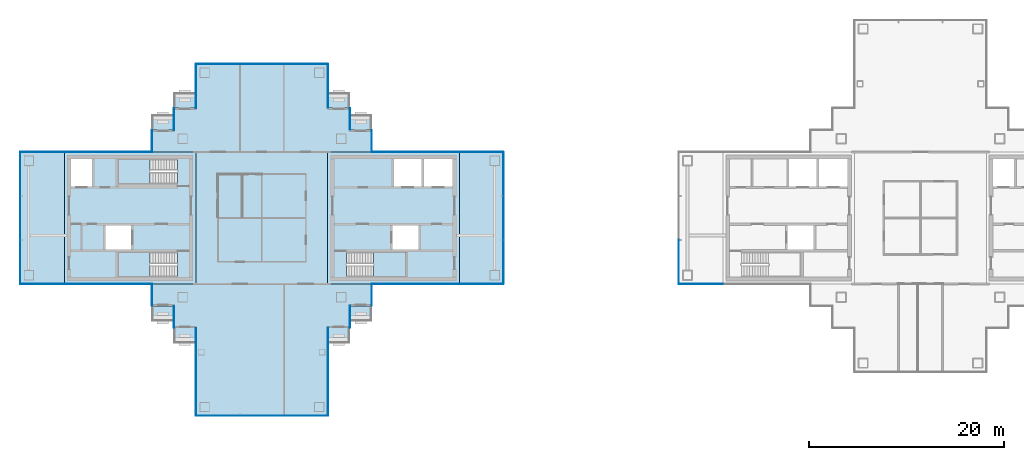
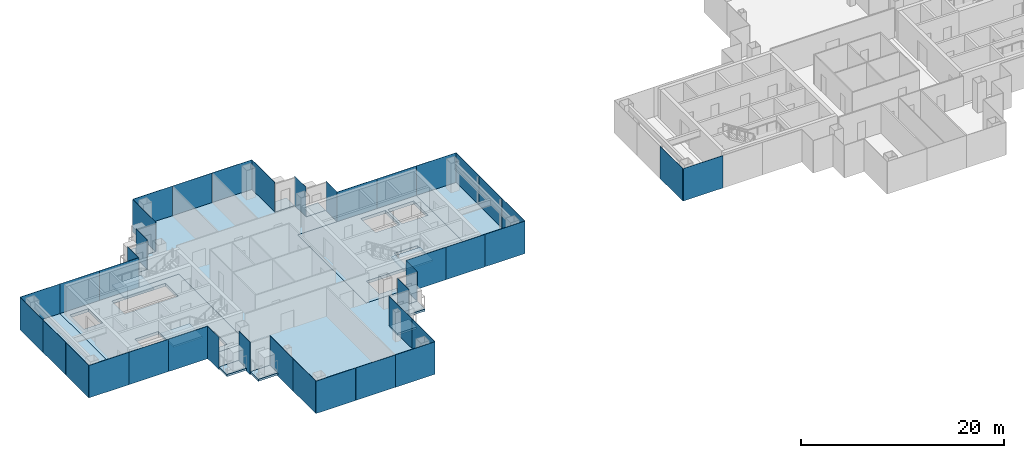
# One storey, part 6 of 15: 40 plates, 16 slabs, 25 elements without a shape of their own.
"""IFC4 building model written with IfcOpenShell, lengths in metres."""

import ifcopenshell
import ifcopenshell.guid

model = None  # the IFC model being written
_history = None  # IfcOwnerHistory: only IFC2X3 demands one
_inside = {}  # id of a spatial element -> (the spatial element, [elements in it])
_under = {}  # id of a project, library or spatial element -> (it, [spatial elements below it])
_declared = {}  # id of a project -> (the project, [libraries it declares])
_typed = {}  # id of a type object -> (the type object, [elements of that type])
_made_of = {}  # id of a material, layer set ... -> (it, [elements and type objects made of it])


def new_model(schema):
    """Start an empty IFC model of exactly this schema.

    Asked for "IFC4X3", IfcOpenShell would pick the latest addendum, in which some entities
    have other attributes; the version numbers below select the first issue.
    IFC2X3 requires an IfcOwnerHistory on every rooted entity: one is made here for all.
    """
    global model, _history
    if schema == "IFC4X3":
        model = ifcopenshell.file(schema_version=(4, 3, 0, 0))
    else:
        model = ifcopenshell.file(schema=schema)
    _inside.clear()
    _under.clear()
    _declared.clear()
    _typed.clear()
    _made_of.clear()
    _history = None
    if model.schema == "IFC2X3":
        org = make("IfcOrganization", Name="unknown")
        user = make(
            "IfcPersonAndOrganization",
            ThePerson=make("IfcPerson", FamilyName="unknown"),
            TheOrganization=org,
        )
        app = make(
            "IfcApplication",
            ApplicationDeveloper=org,
            Version="unknown",
            ApplicationFullName="unknown",
            ApplicationIdentifier="unknown",
        )
        _history = make(
            "IfcOwnerHistory",
            OwningUser=user,
            OwningApplication=app,
            ChangeAction="ADDED",
            CreationDate=0,
        )
    return model


def make(cls, **values):
    """One entity of the class cls with the attributes given. An attribute that is None is left unset."""
    return model.create_entity(
        cls, **{name: value for name, value in values.items() if value is not None}
    )


def rooted(cls, **values):
    """An entity with a GlobalId (a new one), such as an element, a storey or a relation."""
    return make(cls, GlobalId=ifcopenshell.guid.new(), OwnerHistory=_history, **values)


def si_unit(unit_type, name, prefix=None):
    """IfcSIUnit, for example si_unit("LENGTHUNIT", "METRE", prefix="MILLI")."""
    return make("IfcSIUnit", UnitType=unit_type, Prefix=prefix, Name=name)


def assignment(units):
    """IfcUnitAssignment: the units of a project."""
    return None if units is None else make("IfcUnitAssignment", Units=units)


def point(xyz):
    """IfcCartesianPoint."""
    return None if xyz is None else make("IfcCartesianPoint", Coordinates=xyz)


def direction(xyz):
    """IfcDirection."""
    return None if xyz is None else make("IfcDirection", DirectionRatios=xyz)


def frame(location, z_axis=None, x_axis=None):
    """IfcAxis2Placement3D, a coordinate frame: its origin and axes. An axis left out is left unset."""
    return make(
        "IfcAxis2Placement3D",
        Location=point(location),
        Axis=direction(z_axis),
        RefDirection=direction(x_axis),
    )


def frame_2d(location, x_axis=None):
    """IfcAxis2Placement2D, a coordinate frame in the plane: its origin and x axis."""
    return make(
        "IfcAxis2Placement2D", Location=point(location), RefDirection=direction(x_axis)
    )


def origin():
    """The frame at (0, 0, 0) with its axes left unset."""
    return frame((0.0, 0.0, 0.0))


def origin_2d():
    """The frame at (0, 0) in the plane with its x axis left unset."""
    return frame_2d((0.0, 0.0))


def place(relative_to, where):
    """IfcLocalPlacement: puts the frame where relative to a parent placement (None: the world)."""
    return make(
        "IfcLocalPlacement", PlacementRelTo=relative_to, RelativePlacement=where
    )


def context(
    kind, dimensions, precision=None, world=None, true_north=None, identifier=None
):
    """IfcGeometricRepresentationContext, for example the 3D "Model" context."""
    return make(
        "IfcGeometricRepresentationContext",
        ContextIdentifier=identifier,
        ContextType=kind,
        CoordinateSpaceDimension=dimensions,
        Precision=precision,
        WorldCoordinateSystem=world,
        TrueNorth=true_north,
    )


def subcontext(parent, identifier, kind, view, scale=None):
    """IfcGeometricRepresentationSubContext, for example "Body" below "Model"."""
    return make(
        "IfcGeometricRepresentationSubContext",
        ContextIdentifier=identifier,
        ContextType=kind,
        ParentContext=parent,
        TargetScale=scale,
        TargetView=view,
    )


def project(units=None, contexts=None):
    """IfcProject with its units and contexts."""
    return rooted(
        "IfcProject",
        Name="project",
        RepresentationContexts=contexts,
        UnitsInContext=assignment(units),
    )


def spatial(cls, under=None, at=None, **own):
    """A site, building, storey or space (cls), placed at a placement, below another one or the project."""
    s = rooted(cls, ObjectPlacement=at, **own)
    if under is not None:
        _under.setdefault(under.id(), (under, []))[1].append(s)
    return s


def polyline(points):
    """IfcPolyline through the points."""
    return make("IfcPolyline", Points=[point(p) for p in points])


def profile(cls, at=None, kind="AREA", **sizes):
    """A parametric profile (cls). Its sizes go by their IFC names, for example OverallWidth=200.0."""
    return make(cls, ProfileType=kind, Position=at, **sizes)


def rectangle(**sizes):
    """IfcRectangleProfileDef."""
    return profile("IfcRectangleProfileDef", **sizes)


def outline(outer, holes=None, kind="AREA"):
    """IfcArbitraryClosedProfileDef: a profile drawn as a closed curve; with holes, ...WithVoids."""
    if holes is None:
        return make("IfcArbitraryClosedProfileDef", ProfileType=kind, OuterCurve=outer)
    return make(
        "IfcArbitraryProfileDefWithVoids",
        ProfileType=kind,
        OuterCurve=outer,
        InnerCurves=holes,
    )


def extrude(swept, where, along, depth):
    """IfcExtrudedAreaSolid: the profile swept, set in the frame where, extruded along a direction by depth."""
    return make(
        "IfcExtrudedAreaSolid",
        SweptArea=swept,
        Position=where,
        ExtrudedDirection=direction(along),
        Depth=depth,
    )


def shape(context_of_items, identifier, shape_type, items):
    """IfcShapeRepresentation: the items that make up one representation, for example the "Body"."""
    return make(
        "IfcShapeRepresentation",
        ContextOfItems=context_of_items,
        RepresentationIdentifier=identifier,
        RepresentationType=shape_type,
        Items=items,
    )


def material(Name=None, Category=None):
    """IfcMaterial."""
    return make("IfcMaterial", Name=Name, Category=Category)


def layer(
    of_material, thickness, ventilated=None, Name=None, Category=None, Priority=None
):
    """IfcMaterialLayer: one layer of a wall or slab, of a material (None: an air gap)."""
    return make(
        "IfcMaterialLayer",
        Material=of_material,
        LayerThickness=thickness,
        IsVentilated=ventilated,
        Name=Name,
        Category=Category,
        Priority=Priority,
    )


def layer_set(layers, Name=None):
    """IfcMaterialLayerSet."""
    return make("IfcMaterialLayerSet", MaterialLayers=layers, LayerSetName=Name)


def made_of(thing, what):
    """Note that an element or type object is made of a material, layer set ...; save() writes the relation."""
    if what is not None:
        _made_of.setdefault(what.id(), (what, []))[1].append(thing)
    return thing


def type_object(cls, material=None, **own):
    """A type object (cls), such as IfcWallType, which elements share."""
    return made_of(rooted(cls, **own), material)


def element(
    cls,
    number,
    at=None,
    inside=None,
    cuts=None,
    type_object=None,
    material=None,
    context=None,
    identifier="Body",
    shape_type=None,
    held_by="IfcProductDefinitionShape",
    body=None,
    shapes=None,
    **own,
):
    """One element of the class cls, such as IfcWall. Its Tag is "e" and its number.

    at: its placement. inside: the storey or other place that contains it. cuts: it is an
    opening in that element (IfcRelVoidsElement). A single representation is given by context,
    identifier, shape_type and body (its items); several are given by shapes. held_by: the class
    of the entity that holds the representations. save() writes the other relations.
    """
    e = rooted(cls, Tag="e%d" % number, ObjectPlacement=at, **own)
    if body is not None:
        shapes = [shape(context, identifier, shape_type, body)]
    if shapes is not None:
        e.Representation = make(held_by, Representations=shapes)
    if inside is not None:
        _inside.setdefault(inside.id(), (inside, []))[1].append(e)
    if cuts is not None:
        rooted(
            "IfcRelVoidsElement", RelatingBuildingElement=cuts, RelatedOpeningElement=e
        )
    if type_object is not None:
        _typed.setdefault(type_object.id(), (type_object, []))[1].append(e)
    return made_of(e, material)


def aggregate(whole, parts):
    """IfcRelAggregates: a whole, such as a stair, and the parts it consists of."""
    return rooted("IfcRelAggregates", RelatingObject=whole, RelatedObjects=parts)


def save(model, path):
    """Write the relations noted so far, then the file.

    IfcRelAggregates (storeys below a building ...), IfcRelContainedInSpatialStructure (elements
    in a storey), IfcRelDefinesByType, IfcRelAssociatesMaterial and IfcRelDeclares: one each for
    every whole, place, type object, material and project.
    """
    for whole, parts in _under.values():
        aggregate(whole, parts)
    for where, things in _inside.values():
        rooted(
            "IfcRelContainedInSpatialStructure",
            RelatedElements=things,
            RelatingStructure=where,
        )
    for kind, things in _typed.values():
        rooted("IfcRelDefinesByType", RelatedObjects=things, RelatingType=kind)
    for what, things in _made_of.values():
        rooted("IfcRelAssociatesMaterial", RelatedObjects=things, RelatingMaterial=what)
    for by, libraries in _declared.values():
        rooted("IfcRelDeclares", RelatingContext=by, RelatedDefinitions=libraries)
    model.write(path)


model = new_model("IFC4")

# Units and contexts
model_context = context("Model", 3, precision=1e-05, world=origin(), true_north=direction((0.0, 1.0)))
body_context = subcontext(model_context, "Body", "Model", "MODEL_VIEW")
ifc_project = project(units=[si_unit("LENGTHUNIT", "METRE"), si_unit("AREAUNIT", "SQUARE_METRE"), si_unit("VOLUMEUNIT", "CUBIC_METRE"), si_unit("PLANEANGLEUNIT", "RADIAN"), si_unit("MASSUNIT", "GRAM", prefix="KILO")], contexts=[model_context])

# Site, building, storey
site_placement = place(None, origin())
site = spatial("IfcSite", under=ifc_project, at=site_placement, CompositionType="ELEMENT")
building_placement = place(site_placement, origin())
building = spatial("IfcBuilding", under=site, at=building_placement, Name="Shamsa Quay Exchange Towers", CompositionType="ELEMENT")
storey_placement = place(building_placement, frame((0.0, 0.0, 206.10009765625)))
storey = spatial("IfcBuildingStorey", under=building, at=storey_placement, Name="L49", CompositionType="ELEMENT", Elevation=206.10009765625)

# Slabs
ifc_material_1 = material(Name="Precast concrete C40/50", Category="concrete")
ifc_layer_1 = layer(ifc_material_1, 0.25)
ifc_layer_set_1 = layer_set([ifc_layer_1], Name="BALCONY SLAB 250")
slab_type_1 = type_object("IfcSlabType", Name="BALCONY SLAB 250", PredefinedType="FLOOR", material=ifc_layer_set_1)
slab_1_placement = place(storey_placement, frame((0.0, 0.0, -0.25)))
element("IfcSlab", 1, at=slab_1_placement, inside=storey, type_object=slab_type_1, Name="Balcony T1-PKEN L49", PredefinedType="FLOOR", context=body_context, shape_type="SweptSolid", body=[
    extrude(outline(polyline([(-22.5, 9.0), (-24.7119140625, 9.0), (-24.7119140625, 10.550048828125), (-22.5, 10.550048828125), (-22.5, 9.0)])), origin(), (0.0, 0.0, 1.0), 0.25),
])
slab_2_placement = place(storey_placement, frame((0.0, 0.0, -0.25)))
element("IfcSlab", 2, at=slab_2_placement, inside=storey, type_object=slab_type_1, Name="Balcony T1-PKEN L49", PredefinedType="FLOOR", context=body_context, shape_type="SweptSolid", body=[
    extrude(outline(polyline([(-24.75, 11.25), (-26.9619140625, 11.25), (-26.9619140625, 12.800048828125), (-24.75, 12.800048828125), (-24.75, 11.25)])), origin(), (0.0, 0.0, 1.0), 0.25),
])
slab_3_placement = place(storey_placement, frame((0.0, 0.0, -0.25)))
element("IfcSlab", 3, at=slab_3_placement, inside=storey, type_object=slab_type_1, Name="Balcony T1-PKES L49", PredefinedType="FLOOR", context=body_context, shape_type="SweptSolid", body=[
    extrude(outline(polyline([(-24.7119140625, -9.0), (-22.5, -9.0), (-22.5, -10.550048828125), (-24.7119140625, -10.550048828125), (-24.7119140625, -9.0)])), origin(), (0.0, 0.0, 1.0), 0.25),
])
slab_4_placement = place(storey_placement, frame((0.0, 0.0, -0.25)))
element("IfcSlab", 4, at=slab_4_placement, inside=storey, type_object=slab_type_1, Name="Balcony T1-PKES L49", PredefinedType="FLOOR", context=body_context, shape_type="SweptSolid", body=[
    extrude(outline(polyline([(-26.9619140625, -11.25), (-24.75, -11.25), (-24.75, -12.800048828125), (-26.9619140625, -12.800048828125), (-26.9619140625, -11.25)])), origin(), (0.0, 0.0, 1.0), 0.25),
])
slab_5_placement = place(storey_placement, frame((0.0, 0.0, -0.25)))
element("IfcSlab", 5, at=slab_5_placement, inside=storey, type_object=slab_type_1, Name="Balcony T1-PKWN L49", PredefinedType="FLOOR", context=body_context, shape_type="SweptSolid", body=[
    extrude(outline(polyline([(-40.5380859375, 11.25), (-42.75, 11.25), (-42.75, 12.800048828125), (-40.5380859375, 12.800048828125), (-40.5380859375, 11.25)])), origin(), (0.0, 0.0, 1.0), 0.25),
])
slab_6_placement = place(storey_placement, frame((0.0, 0.0, -0.25)))
element("IfcSlab", 6, at=slab_6_placement, inside=storey, type_object=slab_type_1, Name="Balcony T1-PKWN L49", PredefinedType="FLOOR", context=body_context, shape_type="SweptSolid", body=[
    extrude(outline(polyline([(-42.7880859375, 9.0), (-45.0, 9.0), (-45.0, 10.550048828125), (-42.7880859375, 10.550048828125), (-42.7880859375, 9.0)])), origin(), (0.0, 0.0, 1.0), 0.25),
])
slab_7_placement = place(storey_placement, frame((0.0, 0.0, -0.25)))
element("IfcSlab", 7, at=slab_7_placement, inside=storey, type_object=slab_type_1, Name="Balcony T1-PKWS L49", PredefinedType="FLOOR", context=body_context, shape_type="SweptSolid", body=[
    extrude(outline(polyline([(-45.0, -9.0), (-42.7880859375, -9.0), (-42.7880859375, -10.550048828125), (-45.0, -10.550048828125), (-45.0, -9.0)])), origin(), (0.0, 0.0, 1.0), 0.25),
])
slab_8_placement = place(storey_placement, frame((0.0, 0.0, -0.25)))
element("IfcSlab", 8, at=slab_8_placement, inside=storey, type_object=slab_type_1, Name="Balcony T1-PKWS L49", PredefinedType="FLOOR", context=body_context, shape_type="SweptSolid", body=[
    extrude(outline(polyline([(-42.75, -11.25), (-40.5380859375, -11.25), (-40.5380859375, -12.800048828125), (-42.75, -12.800048828125), (-42.75, -11.25)])), origin(), (0.0, 0.0, 1.0), 0.25),
])
ifc_material_2 = material(Name="Concrete C50/60", Category="concrete")
ifc_layer_2 = layer(ifc_material_2, 0.35009765625)
ifc_layer_set_2 = layer_set([ifc_layer_2], Name="CORE FLOOR 350 C50/60")
slab_type_2 = type_object("IfcSlabType", Name="CORE FLOOR 350 C50/60", PredefinedType="FLOOR", material=ifc_layer_set_2)
slab_9_placement = place(storey_placement, frame((0.0, 0.0, -0.35009765625)))
element("IfcSlab", 9, at=slab_9_placement, inside=storey, type_object=slab_type_2, Name="Core floor T1A", PredefinedType="FLOOR", context=body_context, shape_type="SweptSolid", body=[
    extrude(outline(polyline([(-27.0, -6.75), (-13.5, -6.75), (-13.5, 6.75), (-27.0, 6.75), (-27.0, -6.75)]), holes=[polyline([(-25.099365234375, -6.050048828125), (-25.099365234375, -3.5), (-19.0, -3.5), (-19.0, -6.050048828125), (-25.099365234375, -6.050048828125)]), polyline([(-20.199951171875, 3.25), (-20.199951171875, 6.050048828125), (-17.39990234375, 6.050048828125), (-17.39990234375, 3.25), (-20.199951171875, 3.25)]), polyline([(-17.14990234375, 3.25), (-17.14990234375, 6.050048828125), (-14.199951171875, 6.050048828125), (-14.199951171875, 3.25), (-17.14990234375, 3.25)]), polyline([(-20.35009765625, -3.25), (-20.35009765625, -0.75), (-17.699951171875, -0.75), (-17.699951171875, -3.25), (-20.35009765625, -3.25)])]), origin(), (0.0, 0.0, 1.0), 0.35009765625),
])
slab_10_placement = place(storey_placement, frame((0.0, 0.0, -0.35009765625)))
element("IfcSlab", 10, at=slab_10_placement, inside=storey, type_object=slab_type_2, Name="Core floor T1B", PredefinedType="FLOOR", context=body_context, shape_type="SweptSolid", body=[
    extrude(outline(polyline([(-40.5, -6.75), (-40.5, 6.75), (-54.0, 6.75), (-54.0, -6.75), (-40.5, -6.75)]), holes=[polyline([(-42.400634765625, -3.5), (-42.400634765625, -6.050048828125), (-48.5, -6.050048828125), (-48.5, -3.5), (-42.400634765625, -3.5)]), polyline([(-42.400634765625, 6.050048828125), (-42.400634765625, 3.5), (-48.5, 3.5), (-48.5, 6.050048828125), (-42.400634765625, 6.050048828125)]), polyline([(-51.14990234375, 3.25), (-53.300048828125, 3.25), (-53.300048828125, 6.050048828125), (-51.14990234375, 6.050048828125), (-51.14990234375, 3.25)]), polyline([(-47.14990234375, -3.25), (-49.800048828125, -3.25), (-49.800048828125, -0.75), (-47.14990234375, -0.75), (-47.14990234375, -3.25)])]), origin(), (0.0, 0.0, 1.0), 0.35009765625),
])

# Stair, slab
ifc_material_3 = material(Name="Concrete C40/50", Category="concrete")
stair_type = type_object("IfcStairType", Name="EXIT STAIR 22 RISERS 177 MM", PredefinedType="HALF_TURN_STAIR", material=ifc_material_3)
stair_1_placement = place(storey_placement, origin())
stair_1 = element("IfcStair", 11, at=stair_1_placement, inside=storey, type_object=stair_type, Name="L49 Exit stair ST1", PredefinedType="HALF_TURN_STAIR")
ifc_layer_3 = layer(ifc_material_3, 0.199951171875)
ifc_layer_set_3 = layer_set([ifc_layer_3], Name="CORE STAIR LANDING")
slab_type_3 = type_object("IfcSlabType", Name="CORE STAIR LANDING", PredefinedType="LANDING", material=ifc_layer_set_3)
slab_11_placement = place(storey_placement, frame((0.0, 0.0, 1.75)))
slab_11 = element("IfcSlab", 12, at=slab_11_placement, type_object=slab_type_3, Name="ST1 landing 1", PredefinedType="LANDING", context=body_context, shape_type="SweptSolid", body=[
    extrude(outline(polyline([(-22.300048828125, -6.050048828125), (-19.0, -6.050048828125), (-19.0, -3.5), (-22.300048828125, -3.5), (-22.300048828125, -6.050048828125)])), origin(), (0.0, 0.0, 1.0), 0.199951171875),
])
aggregate(stair_1, [slab_11])

stair_2_placement = place(storey_placement, origin())
stair_2 = element("IfcStair", 13, at=stair_2_placement, inside=storey, type_object=stair_type, Name="L49 Exit stair ST2", PredefinedType="HALF_TURN_STAIR")
slab_12_placement = place(storey_placement, frame((0.0, 0.0, 1.75)))
slab_12 = element("IfcSlab", 14, at=slab_12_placement, type_object=slab_type_3, Name="ST2 landing 1", PredefinedType="LANDING", context=body_context, shape_type="SweptSolid", body=[
    extrude(outline(polyline([(-45.199951171875, -3.5), (-48.5, -3.5), (-48.5, -6.050048828125), (-45.199951171875, -6.050048828125), (-45.199951171875, -3.5)])), origin(), (0.0, 0.0, 1.0), 0.199951171875),
])
aggregate(stair_2, [slab_12])

stair_3_placement = place(storey_placement, origin())
stair_3 = element("IfcStair", 15, at=stair_3_placement, inside=storey, type_object=stair_type, Name="L49 Exit stair ST3", PredefinedType="HALF_TURN_STAIR")
slab_13_placement = place(storey_placement, frame((0.0, 0.0, 1.75)))
slab_13 = element("IfcSlab", 16, at=slab_13_placement, type_object=slab_type_3, Name="ST3 landing 1", PredefinedType="LANDING", context=body_context, shape_type="SweptSolid", body=[
    extrude(outline(polyline([(-45.199951171875, 6.050048828125), (-48.5, 6.050048828125), (-48.5, 3.5), (-45.199951171875, 3.5), (-45.199951171875, 6.050048828125)])), origin(), (0.0, 0.0, 1.0), 0.199951171875),
])
aggregate(stair_3, [slab_13])

# Curtain wall, plates
ifc_material_4 = material(Name="Aluminium EN AW-6063 T6, black anodised", Category="aluminium")
ifc_layer_4 = layer(ifc_material_4, 0.280029296875)
ifc_layer_set_4 = layer_set([ifc_layer_4], Name="CW-1 UNITISED VISION GLASS")
curtain_wall_type_1 = type_object("IfcCurtainWallType", Name="CW-1 UNITISED VISION GLASS", PredefinedType="NOTDEFINED", material=ifc_layer_set_4)
curtain_wall_1_placement = place(storey_placement, origin())
curtain_wall_1 = element("IfcCurtainWall", 17, at=curtain_wall_1_placement, inside=storey, type_object=curtain_wall_type_1, Name="CW1 T1-FLK-V-W L49", PredefinedType="NOTDEFINED")
ifc_material_5 = material(Name="Glass, laminated, dark tinted", Category="glass")
ifc_layer_5 = layer(ifc_material_5, 0.0400390625)
ifc_layer_set_5 = layer_set([ifc_layer_5], Name="CW-1 VISION GLASS 40")
plate_type_1 = type_object("IfcPlateType", Name="CW-1 VISION GLASS 40", PredefinedType="CURTAIN_PANEL", material=ifc_layer_set_5)
plate_1_placement = place(storey_placement, frame((-40.52001953125, -13.52587890625, -0.35009765625), z_axis=(0.0, 0.0, 1.0), x_axis=(0.0, -1.0, 0.0)))
plate_1 = element("IfcPlate", 18, at=plate_1_placement, type_object=plate_type_1, Name="CW1 glass panel", PredefinedType="CURTAIN_PANEL", context=body_context, shape_type="SweptSolid", body=[
    extrude(rectangle(XDim=4.47607421875, YDim=0.0400390625, at=origin_2d()), origin(), (0.0, 0.0, 1.0), 3.89990234375),
])
plate_2_placement = place(storey_placement, frame((-40.52001953125, -18.011962890625, -0.35009765625), z_axis=(0.0, 0.0, 1.0), x_axis=(0.0, -1.0, 0.0)))
plate_2 = element("IfcPlate", 19, at=plate_2_placement, type_object=plate_type_1, Name="CW1 glass panel", PredefinedType="CURTAIN_PANEL", context=body_context, shape_type="SweptSolid", body=[
    extrude(rectangle(XDim=4.47607421875, YDim=0.0400390625, at=origin_2d()), origin(), (0.0, 0.0, 1.0), 3.89990234375),
])
aggregate(curtain_wall_1, [plate_1, plate_2])

curtain_wall_2_placement = place(storey_placement, origin())
curtain_wall_2 = element("IfcCurtainWall", 20, at=curtain_wall_2_placement, inside=storey, type_object=curtain_wall_type_1, Name="CW1 T1-END-V- L49", PredefinedType="NOTDEFINED")
plate_3_placement = place(storey_placement, frame((-38.25244140625, -20.27001953125, -0.35009765625)))
plate_3 = element("IfcPlate", 21, at=plate_3_placement, type_object=plate_type_1, Name="CW1 glass panel", PredefinedType="CURTAIN_PANEL", context=body_context, shape_type="SweptSolid", body=[
    extrude(rectangle(XDim=4.4951171875, YDim=0.0400390625, at=origin_2d()), origin(), (0.0, 0.0, 1.0), 3.89990234375),
])
plate_4_placement = place(storey_placement, frame((-33.75, -20.27001953125, -0.35009765625)))
plate_4 = element("IfcPlate", 22, at=plate_4_placement, type_object=plate_type_1, Name="CW1 glass panel", PredefinedType="CURTAIN_PANEL", context=body_context, shape_type="SweptSolid", body=[
    extrude(rectangle(XDim=4.489990234375, YDim=0.0400390625, at=origin_2d()), origin(), (0.0, 0.0, 1.0), 3.89990234375),
])
plate_5_placement = place(storey_placement, frame((-29.24755859375, -20.27001953125, -0.35009765625)))
plate_5 = element("IfcPlate", 23, at=plate_5_placement, type_object=plate_type_1, Name="CW1 glass panel", PredefinedType="CURTAIN_PANEL", context=body_context, shape_type="SweptSolid", body=[
    extrude(rectangle(XDim=4.4951171875, YDim=0.0400390625, at=origin_2d()), origin(), (0.0, 0.0, 1.0), 3.89990234375),
])
aggregate(curtain_wall_2, [plate_3, plate_4, plate_5])

curtain_wall_3_placement = place(storey_placement, origin())
curtain_wall_3 = element("IfcCurtainWall", 24, at=curtain_wall_3_placement, inside=storey, type_object=curtain_wall_type_1, Name="CW1 T1-FLK-V-E L49", PredefinedType="NOTDEFINED")
plate_6_placement = place(storey_placement, frame((-26.97998046875, -18.00244140625, -0.35009765625), z_axis=(0.0, 0.0, 1.0), x_axis=(0.0, 1.0, 0.0)))
plate_6 = element("IfcPlate", 25, at=plate_6_placement, type_object=plate_type_1, Name="CW1 glass panel", PredefinedType="CURTAIN_PANEL", context=body_context, shape_type="SweptSolid", body=[
    extrude(rectangle(XDim=4.4951171875, YDim=0.0400390625, at=origin_2d()), origin(), (0.0, 0.0, 1.0), 3.89990234375),
])
plate_7_placement = place(storey_placement, frame((-26.97998046875, -13.49755859375, -0.35009765625), z_axis=(0.0, 0.0, 1.0), x_axis=(0.0, 1.0, 0.0)))
plate_7 = element("IfcPlate", 26, at=plate_7_placement, type_object=plate_type_1, Name="CW1 glass panel", PredefinedType="CURTAIN_PANEL", context=body_context, shape_type="SweptSolid", body=[
    extrude(rectangle(XDim=4.4951171875, YDim=0.0400390625, at=origin_2d()), origin(), (0.0, 0.0, 1.0), 3.89990234375),
])
aggregate(curtain_wall_3, [plate_6, plate_7])

# Curtain wall, plate
curtain_wall_4_placement = place(storey_placement, origin())
curtain_wall_4 = element("IfcCurtainWall", 27, at=curtain_wall_4_placement, inside=storey, type_object=curtain_wall_type_1, Name="CW1 T1-FLK-U+S L49", PredefinedType="NOTDEFINED")
plate_8_placement = place(storey_placement, frame((-11.25, -6.77001953125, -0.35009765625)))
plate_8 = element("IfcPlate", 28, at=plate_8_placement, type_object=plate_type_1, Name="CW1 glass panel", PredefinedType="CURTAIN_PANEL", context=body_context, shape_type="SweptSolid", body=[
    extrude(rectangle(XDim=4.5, YDim=0.0400390625, at=origin_2d()), origin(), (0.0, 0.0, 1.0), 3.89990234375),
])
aggregate(curtain_wall_4, [plate_8])

# Curtain wall, plates
curtain_wall_5_placement = place(storey_placement, origin())
curtain_wall_5 = element("IfcCurtainWall", 29, at=curtain_wall_5_placement, inside=storey, type_object=curtain_wall_type_1, Name="CW1 T1-END-U+ L49", PredefinedType="NOTDEFINED")
plate_9_placement = place(storey_placement, frame((-8.97998046875, -4.50244140625, -0.35009765625), z_axis=(0.0, 0.0, 1.0), x_axis=(0.0, 1.0, 0.0)))
plate_9 = element("IfcPlate", 30, at=plate_9_placement, type_object=plate_type_1, Name="CW1 glass panel", PredefinedType="CURTAIN_PANEL", context=body_context, shape_type="SweptSolid", body=[
    extrude(rectangle(XDim=4.4951171875, YDim=0.0400390625, at=origin_2d()), origin(), (0.0, 0.0, 1.0), 3.89990234375),
])
plate_10_placement = place(storey_placement, frame((-8.97998046875, 0.0, -0.35009765625), z_axis=(0.0, 0.0, 1.0), x_axis=(0.0, 1.0, 0.0)))
plate_10 = element("IfcPlate", 31, at=plate_10_placement, type_object=plate_type_1, Name="CW1 glass panel", PredefinedType="CURTAIN_PANEL", context=body_context, shape_type="SweptSolid", body=[
    extrude(rectangle(XDim=4.489990234375, YDim=0.0400390625, at=origin_2d()), origin(), (0.0, 0.0, 1.0), 3.89990234375),
])
plate_11_placement = place(storey_placement, frame((-8.97998046875, 4.50244140625, -0.35009765625), z_axis=(0.0, 0.0, 1.0), x_axis=(0.0, 1.0, 0.0)))
plate_11 = element("IfcPlate", 32, at=plate_11_placement, type_object=plate_type_1, Name="CW1 glass panel", PredefinedType="CURTAIN_PANEL", context=body_context, shape_type="SweptSolid", body=[
    extrude(rectangle(XDim=4.4951171875, YDim=0.0400390625, at=origin_2d()), origin(), (0.0, 0.0, 1.0), 3.89990234375),
])
aggregate(curtain_wall_5, [plate_9, plate_10, plate_11])

# Curtain wall, plate
curtain_wall_6_placement = place(storey_placement, origin())
curtain_wall_6 = element("IfcCurtainWall", 33, at=curtain_wall_6_placement, inside=storey, type_object=curtain_wall_type_1, Name="CW1 T1-FLK-U+N L49", PredefinedType="NOTDEFINED")
plate_12_placement = place(storey_placement, frame((-11.25, 6.77001953125, -0.35009765625), z_axis=(0.0, 0.0, 1.0), x_axis=(-1.0, 0.0, 0.0)))
plate_12 = element("IfcPlate", 34, at=plate_12_placement, type_object=plate_type_1, Name="CW1 glass panel", PredefinedType="CURTAIN_PANEL", context=body_context, shape_type="SweptSolid", body=[
    extrude(rectangle(XDim=4.5, YDim=0.0400390625, at=origin_2d()), origin(), (0.0, 0.0, 1.0), 3.89990234375),
])
aggregate(curtain_wall_6, [plate_12])

curtain_wall_7_placement = place(storey_placement, origin())
curtain_wall_7 = element("IfcCurtainWall", 35, at=curtain_wall_7_placement, inside=storey, type_object=curtain_wall_type_1, Name="CW1 T1-FLK-V+E L49", PredefinedType="NOTDEFINED")
plate_13_placement = place(storey_placement, frame((-26.97998046875, 13.51904296875, -0.35009765625), z_axis=(0.0, 0.0, 1.0), x_axis=(0.0, 1.0, 0.0)))
plate_13 = element("IfcPlate", 36, at=plate_13_placement, type_object=plate_type_1, Name="CW1 glass panel", PredefinedType="CURTAIN_PANEL", context=body_context, shape_type="SweptSolid", body=[
    extrude(rectangle(XDim=4.4619140625, YDim=0.0400390625, at=origin_2d()), origin(), (0.0, 0.0, 1.0), 3.89990234375),
])
aggregate(curtain_wall_7, [plate_13])

# Curtain wall, plates
curtain_wall_8_placement = place(storey_placement, origin())
curtain_wall_8 = element("IfcCurtainWall", 37, at=curtain_wall_8_placement, inside=storey, type_object=curtain_wall_type_1, Name="CW1 T1-END-V+ L49", PredefinedType="NOTDEFINED")
plate_14_placement = place(storey_placement, frame((-29.24755859375, 15.77001953125, -0.35009765625), z_axis=(0.0, 0.0, 1.0), x_axis=(-1.0, 0.0, 0.0)))
plate_14 = element("IfcPlate", 38, at=plate_14_placement, type_object=plate_type_1, Name="CW1 glass panel", PredefinedType="CURTAIN_PANEL", context=body_context, shape_type="SweptSolid", body=[
    extrude(rectangle(XDim=4.4951171875, YDim=0.0400390625, at=origin_2d()), origin(), (0.0, 0.0, 1.0), 3.89990234375),
])
plate_15_placement = place(storey_placement, frame((-33.75, 15.77001953125, -0.35009765625), z_axis=(0.0, 0.0, 1.0), x_axis=(-1.0, 0.0, 0.0)))
plate_15 = element("IfcPlate", 39, at=plate_15_placement, type_object=plate_type_1, Name="CW1 glass panel", PredefinedType="CURTAIN_PANEL", context=body_context, shape_type="SweptSolid", body=[
    extrude(rectangle(XDim=4.489990234375, YDim=0.0400390625, at=origin_2d()), origin(), (0.0, 0.0, 1.0), 3.89990234375),
])
plate_16_placement = place(storey_placement, frame((-38.25244140625, 15.77001953125, -0.35009765625), z_axis=(0.0, 0.0, 1.0), x_axis=(-1.0, 0.0, 0.0)))
plate_16 = element("IfcPlate", 40, at=plate_16_placement, type_object=plate_type_1, Name="CW1 glass panel", PredefinedType="CURTAIN_PANEL", context=body_context, shape_type="SweptSolid", body=[
    extrude(rectangle(XDim=4.4951171875, YDim=0.0400390625, at=origin_2d()), origin(), (0.0, 0.0, 1.0), 3.89990234375),
])
aggregate(curtain_wall_8, [plate_14, plate_15, plate_16])

# Curtain wall, plate
curtain_wall_9_placement = place(storey_placement, origin())
curtain_wall_9 = element("IfcCurtainWall", 41, at=curtain_wall_9_placement, inside=storey, type_object=curtain_wall_type_1, Name="CW1 T1-FLK-V+W L49", PredefinedType="NOTDEFINED")
plate_17_placement = place(storey_placement, frame((-40.52001953125, 13.5, -0.35009765625), z_axis=(0.0, 0.0, 1.0), x_axis=(0.0, -1.0, 0.0)))
plate_17 = element("IfcPlate", 42, at=plate_17_placement, type_object=plate_type_1, Name="CW1 glass panel", PredefinedType="CURTAIN_PANEL", context=body_context, shape_type="SweptSolid", body=[
    extrude(rectangle(XDim=4.5, YDim=0.0400390625, at=origin_2d()), origin(), (0.0, 0.0, 1.0), 3.89990234375),
])
aggregate(curtain_wall_9, [plate_17])

curtain_wall_10_placement = place(storey_placement, origin())
curtain_wall_10 = element("IfcCurtainWall", 43, at=curtain_wall_10_placement, inside=storey, type_object=curtain_wall_type_1, Name="CW1 T1-FLK-U-N L49", PredefinedType="NOTDEFINED")
plate_18_placement = place(storey_placement, frame((-56.25, 6.77001953125, -0.35009765625), z_axis=(0.0, 0.0, 1.0), x_axis=(-1.0, 0.0, 0.0)))
plate_18 = element("IfcPlate", 44, at=plate_18_placement, type_object=plate_type_1, Name="CW1 glass panel", PredefinedType="CURTAIN_PANEL", context=body_context, shape_type="SweptSolid", body=[
    extrude(rectangle(XDim=4.5, YDim=0.0400390625, at=origin_2d()), origin(), (0.0, 0.0, 1.0), 3.89990234375),
])
aggregate(curtain_wall_10, [plate_18])

# Curtain wall, plates
curtain_wall_11_placement = place(storey_placement, origin())
curtain_wall_11 = element("IfcCurtainWall", 45, at=curtain_wall_11_placement, inside=storey, type_object=curtain_wall_type_1, Name="CW1 T1-END-U- L49", PredefinedType="NOTDEFINED")
plate_19_placement = place(storey_placement, frame((-58.52001953125, 4.50244140625, -0.35009765625), z_axis=(0.0, 0.0, 1.0), x_axis=(0.0, -1.0, 0.0)))
plate_19 = element("IfcPlate", 46, at=plate_19_placement, type_object=plate_type_1, Name="CW1 glass panel", PredefinedType="CURTAIN_PANEL", context=body_context, shape_type="SweptSolid", body=[
    extrude(rectangle(XDim=4.4951171875, YDim=0.0400390625, at=origin_2d()), origin(), (0.0, 0.0, 1.0), 3.89990234375),
])
plate_20_placement = place(storey_placement, frame((-58.52001953125, 0.0, -0.35009765625), z_axis=(0.0, 0.0, 1.0), x_axis=(0.0, -1.0, 0.0)))
plate_20 = element("IfcPlate", 47, at=plate_20_placement, type_object=plate_type_1, Name="CW1 glass panel", PredefinedType="CURTAIN_PANEL", context=body_context, shape_type="SweptSolid", body=[
    extrude(rectangle(XDim=4.489990234375, YDim=0.0400390625, at=origin_2d()), origin(), (0.0, 0.0, 1.0), 3.89990234375),
])
plate_21_placement = place(storey_placement, frame((-58.52001953125, -4.50244140625, -0.35009765625), z_axis=(0.0, 0.0, 1.0), x_axis=(0.0, -1.0, 0.0)))
plate_21 = element("IfcPlate", 48, at=plate_21_placement, type_object=plate_type_1, Name="CW1 glass panel", PredefinedType="CURTAIN_PANEL", context=body_context, shape_type="SweptSolid", body=[
    extrude(rectangle(XDim=4.4951171875, YDim=0.0400390625, at=origin_2d()), origin(), (0.0, 0.0, 1.0), 3.89990234375),
])
aggregate(curtain_wall_11, [plate_19, plate_20, plate_21])

# Curtain wall, plate
curtain_wall_12_placement = place(storey_placement, origin())
curtain_wall_12 = element("IfcCurtainWall", 49, at=curtain_wall_12_placement, inside=storey, type_object=curtain_wall_type_1, Name="CW1 T1-FLK-U-S L49", PredefinedType="NOTDEFINED")
plate_22_placement = place(storey_placement, frame((-56.25, -6.77001953125, -0.35009765625)))
plate_22 = element("IfcPlate", 50, at=plate_22_placement, type_object=plate_type_1, Name="CW1 glass panel", PredefinedType="CURTAIN_PANEL", context=body_context, shape_type="SweptSolid", body=[
    extrude(rectangle(XDim=4.5, YDim=0.0400390625, at=origin_2d()), origin(), (0.0, 0.0, 1.0), 3.89990234375),
])
aggregate(curtain_wall_12, [plate_22])

curtain_wall_13_placement = place(storey_placement, origin())
curtain_wall_13 = element("IfcCurtainWall", 51, at=curtain_wall_13_placement, inside=storey, type_object=curtain_wall_type_1, Name="CW1 T2-END-V+ L49", PredefinedType="NOTDEFINED")
plate_23_placement = place(storey_placement, frame((8.97998046875, -4.50244140625, -0.35009765625), z_axis=(0.0, 0.0, 1.0), x_axis=(0.0, -1.0, 0.0)))
plate_23 = element("IfcPlate", 52, at=plate_23_placement, type_object=plate_type_1, Name="CW1 glass panel", PredefinedType="CURTAIN_PANEL", context=body_context, shape_type="SweptSolid", body=[
    extrude(rectangle(XDim=4.4951171875, YDim=0.0400390625, at=origin_2d()), origin(), (0.0, 0.0, 1.0), 3.89990234375),
])
aggregate(curtain_wall_13, [plate_23])

curtain_wall_14_placement = place(storey_placement, origin())
curtain_wall_14 = element("IfcCurtainWall", 53, at=curtain_wall_14_placement, inside=storey, type_object=curtain_wall_type_1, Name="CW1 T2-FLK-V+W L49", PredefinedType="NOTDEFINED")
plate_24_placement = place(storey_placement, frame((11.25, -6.77001953125, -0.35009765625)))
plate_24 = element("IfcPlate", 54, at=plate_24_placement, type_object=plate_type_1, Name="CW1 glass panel", PredefinedType="CURTAIN_PANEL", context=body_context, shape_type="SweptSolid", body=[
    extrude(rectangle(XDim=4.5, YDim=0.0400390625, at=origin_2d()), origin(), (0.0, 0.0, 1.0), 3.89990234375),
])
aggregate(curtain_wall_14, [plate_24])

# Curtain wall, plates
ifc_layer_6 = layer(ifc_material_4, 0.303955078125)
ifc_layer_set_6 = layer_set([ifc_layer_6], Name="CW-2 UNITISED OPAQUE SPANDREL GLASS")
curtain_wall_type_2 = type_object("IfcCurtainWallType", Name="CW-2 UNITISED OPAQUE SPANDREL GLASS", PredefinedType="NOTDEFINED", material=ifc_layer_set_6)
curtain_wall_15_placement = place(storey_placement, origin())
curtain_wall_15 = element("IfcCurtainWall", 55, at=curtain_wall_15_placement, inside=storey, type_object=curtain_wall_type_2, Name="CW2 T1-FLK-U+S L49", PredefinedType="NOTDEFINED")
ifc_material_6 = material(Name="Glass, laminated, black enamelled opaque", Category="glass")
ifc_layer_7 = layer(ifc_material_6, 0.0439453125)
ifc_layer_set_7 = layer_set([ifc_layer_7], Name="CW-2 SPANDREL GLASS 44")
plate_type_2 = type_object("IfcPlateType", Name="CW-2 SPANDREL GLASS 44", PredefinedType="CURTAIN_PANEL", material=ifc_layer_set_7)
plate_25_placement = place(storey_placement, frame((-20.22412109375, -6.77197265625, -0.35009765625)))
plate_25 = element("IfcPlate", 56, at=plate_25_placement, type_object=plate_type_2, Name="CW2 glass panel", PredefinedType="CURTAIN_PANEL", context=body_context, shape_type="SweptSolid", body=[
    extrude(rectangle(XDim=4.47607421875, YDim=0.0439453125, at=origin_2d()), origin(), (0.0, 0.0, 1.0), 3.89990234375),
])
plate_26_placement = place(storey_placement, frame((-15.738037109375, -6.77197265625, -0.35009765625)))
plate_26 = element("IfcPlate", 57, at=plate_26_placement, type_object=plate_type_2, Name="CW2 glass panel", PredefinedType="CURTAIN_PANEL", context=body_context, shape_type="SweptSolid", body=[
    extrude(rectangle(XDim=4.47607421875, YDim=0.0439453125, at=origin_2d()), origin(), (0.0, 0.0, 1.0), 3.89990234375),
])
aggregate(curtain_wall_15, [plate_25, plate_26])

curtain_wall_16_placement = place(storey_placement, origin())
curtain_wall_16 = element("IfcCurtainWall", 58, at=curtain_wall_16_placement, inside=storey, type_object=curtain_wall_type_2, Name="CW2 T1-FLK-U+N L49", PredefinedType="NOTDEFINED")
plate_27_placement = place(storey_placement, frame((-15.74755859375, 6.77197265625, -0.35009765625), z_axis=(0.0, 0.0, 1.0), x_axis=(-1.0, 0.0, 0.0)))
plate_27 = element("IfcPlate", 59, at=plate_27_placement, type_object=plate_type_2, Name="CW2 glass panel", PredefinedType="CURTAIN_PANEL", context=body_context, shape_type="SweptSolid", body=[
    extrude(rectangle(XDim=4.4951171875, YDim=0.0439453125, at=origin_2d()), origin(), (0.0, 0.0, 1.0), 3.89990234375),
])
plate_28_placement = place(storey_placement, frame((-20.25244140625, 6.77197265625, -0.35009765625), z_axis=(0.0, 0.0, 1.0), x_axis=(-1.0, 0.0, 0.0)))
plate_28 = element("IfcPlate", 60, at=plate_28_placement, type_object=plate_type_2, Name="CW2 glass panel", PredefinedType="CURTAIN_PANEL", context=body_context, shape_type="SweptSolid", body=[
    extrude(rectangle(XDim=4.4951171875, YDim=0.0439453125, at=origin_2d()), origin(), (0.0, 0.0, 1.0), 3.89990234375),
])
aggregate(curtain_wall_16, [plate_27, plate_28])

curtain_wall_17_placement = place(storey_placement, origin())
curtain_wall_17 = element("IfcCurtainWall", 61, at=curtain_wall_17_placement, inside=storey, type_object=curtain_wall_type_2, Name="CW2 T1-FLK-U-N L49", PredefinedType="NOTDEFINED")
plate_29_placement = place(storey_placement, frame((-47.27587890625, 6.77197265625, -0.35009765625), z_axis=(0.0, 0.0, 1.0), x_axis=(-1.0, 0.0, 0.0)))
plate_29 = element("IfcPlate", 62, at=plate_29_placement, type_object=plate_type_2, Name="CW2 glass panel", PredefinedType="CURTAIN_PANEL", context=body_context, shape_type="SweptSolid", body=[
    extrude(rectangle(XDim=4.47607421875, YDim=0.0439453125, at=origin_2d()), origin(), (0.0, 0.0, 1.0), 3.89990234375),
])
plate_30_placement = place(storey_placement, frame((-51.761962890625, 6.77197265625, -0.35009765625), z_axis=(0.0, 0.0, 1.0), x_axis=(-1.0, 0.0, 0.0)))
plate_30 = element("IfcPlate", 63, at=plate_30_placement, type_object=plate_type_2, Name="CW2 glass panel", PredefinedType="CURTAIN_PANEL", context=body_context, shape_type="SweptSolid", body=[
    extrude(rectangle(XDim=4.47607421875, YDim=0.0439453125, at=origin_2d()), origin(), (0.0, 0.0, 1.0), 3.89990234375),
])
aggregate(curtain_wall_17, [plate_29, plate_30])

curtain_wall_18_placement = place(storey_placement, origin())
curtain_wall_18 = element("IfcCurtainWall", 64, at=curtain_wall_18_placement, inside=storey, type_object=curtain_wall_type_2, Name="CW2 T1-FLK-U-S L49", PredefinedType="NOTDEFINED")
plate_31_placement = place(storey_placement, frame((-51.75244140625, -6.77197265625, -0.35009765625)))
plate_31 = element("IfcPlate", 65, at=plate_31_placement, type_object=plate_type_2, Name="CW2 glass panel", PredefinedType="CURTAIN_PANEL", context=body_context, shape_type="SweptSolid", body=[
    extrude(rectangle(XDim=4.4951171875, YDim=0.0439453125, at=origin_2d()), origin(), (0.0, 0.0, 1.0), 3.89990234375),
])
plate_32_placement = place(storey_placement, frame((-47.24755859375, -6.77197265625, -0.35009765625)))
plate_32 = element("IfcPlate", 66, at=plate_32_placement, type_object=plate_type_2, Name="CW2 glass panel", PredefinedType="CURTAIN_PANEL", context=body_context, shape_type="SweptSolid", body=[
    extrude(rectangle(XDim=4.4951171875, YDim=0.0439453125, at=origin_2d()), origin(), (0.0, 0.0, 1.0), 3.89990234375),
])
aggregate(curtain_wall_18, [plate_31, plate_32])

ifc_layer_8 = layer(ifc_material_4, 0.256103515625)
ifc_layer_set_8 = layer_set([ifc_layer_8], Name="CW-4 POCKET SERRATED GLAZING")
curtain_wall_type_3 = type_object("IfcCurtainWallType", Name="CW-4 POCKET SERRATED GLAZING", PredefinedType="NOTDEFINED", material=ifc_layer_set_8)
curtain_wall_19_placement = place(storey_placement, origin())
curtain_wall_19 = element("IfcCurtainWall", 67, at=curtain_wall_19_placement, inside=storey, type_object=curtain_wall_type_3, Name="CW4 PKWS L49", PredefinedType="NOTDEFINED")
ifc_layer_9 = layer(ifc_material_5, 0.035888671875)
ifc_layer_set_9 = layer_set([ifc_layer_9], Name="CW-4 POCKET GLASS 36")
plate_type_3 = type_object("IfcPlateType", Name="CW-4 POCKET GLASS 36", PredefinedType="CURTAIN_PANEL", material=ifc_layer_set_9)
plate_33_placement = place(storey_placement, frame((-42.76806640625, -10.14404296875, -0.35009765625), z_axis=(0.0, 0.0, 1.0), x_axis=(0.0, -1.0, 0.0)))
plate_33 = element("IfcPlate", 68, at=plate_33_placement, type_object=plate_type_3, Name="CW4 glass panel", PredefinedType="CURTAIN_PANEL", context=body_context, shape_type="SweptSolid", body=[
    extrude(rectangle(XDim=2.2119140625, YDim=0.035888671875, at=origin_2d()), origin(), (0.0, 0.0, 1.0), 3.89990234375),
])
plate_34_placement = place(storey_placement, frame((-45.01806640625, -7.89794921875, -0.35009765625), z_axis=(0.0, 0.0, 1.0), x_axis=(0.0, -1.0, 0.0)))
plate_34 = element("IfcPlate", 69, at=plate_34_placement, type_object=plate_type_3, Name="CW4 glass panel", PredefinedType="CURTAIN_PANEL", context=body_context, shape_type="SweptSolid", body=[
    extrude(rectangle(XDim=2.2041015625, YDim=0.035888671875, at=origin_2d()), origin(), (0.0, 0.0, 1.0), 3.89990234375),
])
aggregate(curtain_wall_19, [plate_33, plate_34])

curtain_wall_20_placement = place(storey_placement, origin())
curtain_wall_20 = element("IfcCurtainWall", 70, at=curtain_wall_20_placement, inside=storey, type_object=curtain_wall_type_3, Name="CW4 PKES L49", PredefinedType="NOTDEFINED")
plate_35_placement = place(storey_placement, frame((-24.73193359375, -10.125, -0.35009765625), z_axis=(0.0, 0.0, 1.0), x_axis=(0.0, 1.0, 0.0)))
plate_35 = element("IfcPlate", 71, at=plate_35_placement, type_object=plate_type_3, Name="CW4 glass panel", PredefinedType="CURTAIN_PANEL", context=body_context, shape_type="SweptSolid", body=[
    extrude(rectangle(XDim=2.25, YDim=0.035888671875, at=origin_2d()), origin(), (0.0, 0.0, 1.0), 3.89990234375),
])
plate_36_placement = place(storey_placement, frame((-22.48193359375, -7.875, -0.35009765625), z_axis=(0.0, 0.0, 1.0), x_axis=(0.0, 1.0, 0.0)))
plate_36 = element("IfcPlate", 72, at=plate_36_placement, type_object=plate_type_3, Name="CW4 glass panel", PredefinedType="CURTAIN_PANEL", context=body_context, shape_type="SweptSolid", body=[
    extrude(rectangle(XDim=2.25, YDim=0.035888671875, at=origin_2d()), origin(), (0.0, 0.0, 1.0), 3.89990234375),
])
aggregate(curtain_wall_20, [plate_35, plate_36])

curtain_wall_21_placement = place(storey_placement, origin())
curtain_wall_21 = element("IfcCurtainWall", 73, at=curtain_wall_21_placement, inside=storey, type_object=curtain_wall_type_3, Name="CW4 PKEN L49", PredefinedType="NOTDEFINED")
plate_37_placement = place(storey_placement, frame((-22.48193359375, 7.89794921875, -0.35009765625), z_axis=(0.0, 0.0, 1.0), x_axis=(0.0, 1.0, 0.0)))
plate_37 = element("IfcPlate", 74, at=plate_37_placement, type_object=plate_type_3, Name="CW4 glass panel", PredefinedType="CURTAIN_PANEL", context=body_context, shape_type="SweptSolid", body=[
    extrude(rectangle(XDim=2.2041015625, YDim=0.035888671875, at=origin_2d()), origin(), (0.0, 0.0, 1.0), 3.89990234375),
])
plate_38_placement = place(storey_placement, frame((-24.73193359375, 10.14404296875, -0.35009765625), z_axis=(0.0, 0.0, 1.0), x_axis=(0.0, 1.0, 0.0)))
plate_38 = element("IfcPlate", 75, at=plate_38_placement, type_object=plate_type_3, Name="CW4 glass panel", PredefinedType="CURTAIN_PANEL", context=body_context, shape_type="SweptSolid", body=[
    extrude(rectangle(XDim=2.2119140625, YDim=0.035888671875, at=origin_2d()), origin(), (0.0, 0.0, 1.0), 3.89990234375),
])
aggregate(curtain_wall_21, [plate_37, plate_38])

curtain_wall_22_placement = place(storey_placement, origin())
curtain_wall_22 = element("IfcCurtainWall", 76, at=curtain_wall_22_placement, inside=storey, type_object=curtain_wall_type_3, Name="CW4 PKWN L49", PredefinedType="NOTDEFINED")
plate_39_placement = place(storey_placement, frame((-42.76806640625, 10.125, -0.35009765625), z_axis=(0.0, 0.0, 1.0), x_axis=(0.0, -1.0, 0.0)))
plate_39 = element("IfcPlate", 77, at=plate_39_placement, type_object=plate_type_3, Name="CW4 glass panel", PredefinedType="CURTAIN_PANEL", context=body_context, shape_type="SweptSolid", body=[
    extrude(rectangle(XDim=2.25, YDim=0.035888671875, at=origin_2d()), origin(), (0.0, 0.0, 1.0), 3.89990234375),
])
plate_40_placement = place(storey_placement, frame((-45.01806640625, 7.875, -0.35009765625), z_axis=(0.0, 0.0, 1.0), x_axis=(0.0, -1.0, 0.0)))
plate_40 = element("IfcPlate", 78, at=plate_40_placement, type_object=plate_type_3, Name="CW4 glass panel", PredefinedType="CURTAIN_PANEL", context=body_context, shape_type="SweptSolid", body=[
    extrude(rectangle(XDim=2.25, YDim=0.035888671875, at=origin_2d()), origin(), (0.0, 0.0, 1.0), 3.89990234375),
])
aggregate(curtain_wall_22, [plate_39, plate_40])

# Slabs
ifc_layer_10 = layer(ifc_material_3, 0.35009765625)
ifc_layer_set_10 = layer_set([ifc_layer_10], Name="Flat slab 350")
slab_type_4 = type_object("IfcSlabType", Name="Flat slab 350", PredefinedType="FLOOR", material=ifc_layer_set_10)
slab_14_placement = place(storey_placement, frame((0.0, 0.0, -0.35009765625)))
element("IfcSlab", 79, at=slab_14_placement, inside=storey, type_object=slab_type_4, Name="Flat slab T1 L49 1", PredefinedType="FLOOR", context=body_context, shape_type="SweptSolid", body=[
    extrude(outline(polyline([(-58.5, -6.75), (-54.0, -6.75), (-54.0, 6.75), (-58.5, 6.75), (-58.5, -6.75)])), origin(), (0.0, 0.0, 1.0), 0.35009765625),
])
slab_15_placement = place(storey_placement, frame((0.0, 0.0, -0.35009765625)))
element("IfcSlab", 80, at=slab_15_placement, inside=storey, type_object=slab_type_4, Name="Flat slab T1 L49 2", PredefinedType="FLOOR", context=body_context, shape_type="SweptSolid", body=[
    extrude(outline(polyline([(-22.5, -9.0), (-22.5, -6.75), (-27.0, -6.75), (-27.0, 6.75), (-22.5, 6.75), (-22.5, 9.0), (-24.75, 9.0), (-24.75, 11.25), (-27.0, 11.25), (-27.0, 15.75), (-40.5, 15.75), (-40.5, 11.25), (-42.75, 11.25), (-42.75, 9.0), (-45.0, 9.0), (-45.0, 6.75), (-40.5, 6.75), (-40.5, -6.75), (-45.0, -6.75), (-45.0, -9.0), (-42.75, -9.0), (-42.75, -11.25), (-40.5, -11.25), (-40.5, -20.25), (-27.0, -20.25), (-27.0, -11.25), (-24.75, -11.25), (-24.75, -9.0), (-22.5, -9.0)])), origin(), (0.0, 0.0, 1.0), 0.35009765625),
])
slab_16_placement = place(storey_placement, frame((0.0, 0.0, -0.35009765625)))
element("IfcSlab", 81, at=slab_16_placement, inside=storey, type_object=slab_type_4, Name="Flat slab T1 L49 3", PredefinedType="FLOOR", context=body_context, shape_type="SweptSolid", body=[
    extrude(outline(polyline([(-9.0, 6.75), (-13.5, 6.75), (-13.5, -6.75), (-9.0, -6.75), (-9.0, 6.75)])), origin(), (0.0, 0.0, 1.0), 0.35009765625),
])

save(model, "model.ifc")
